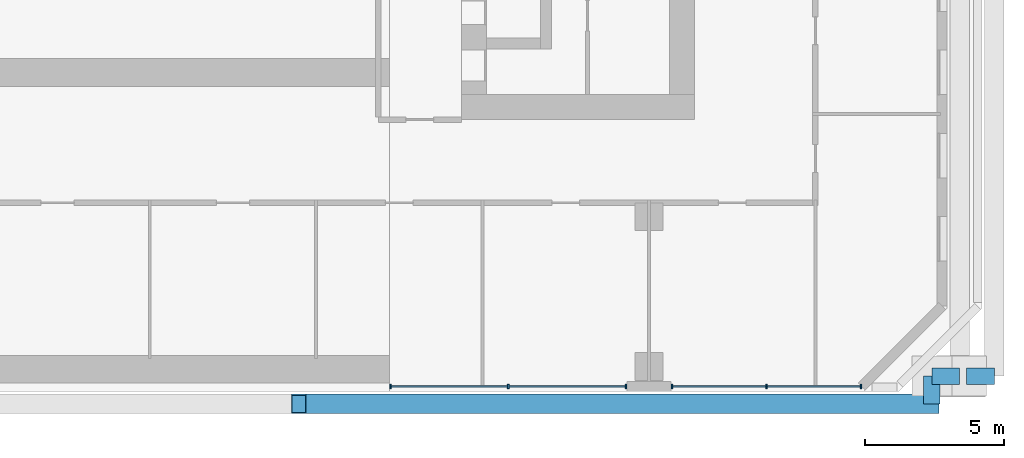
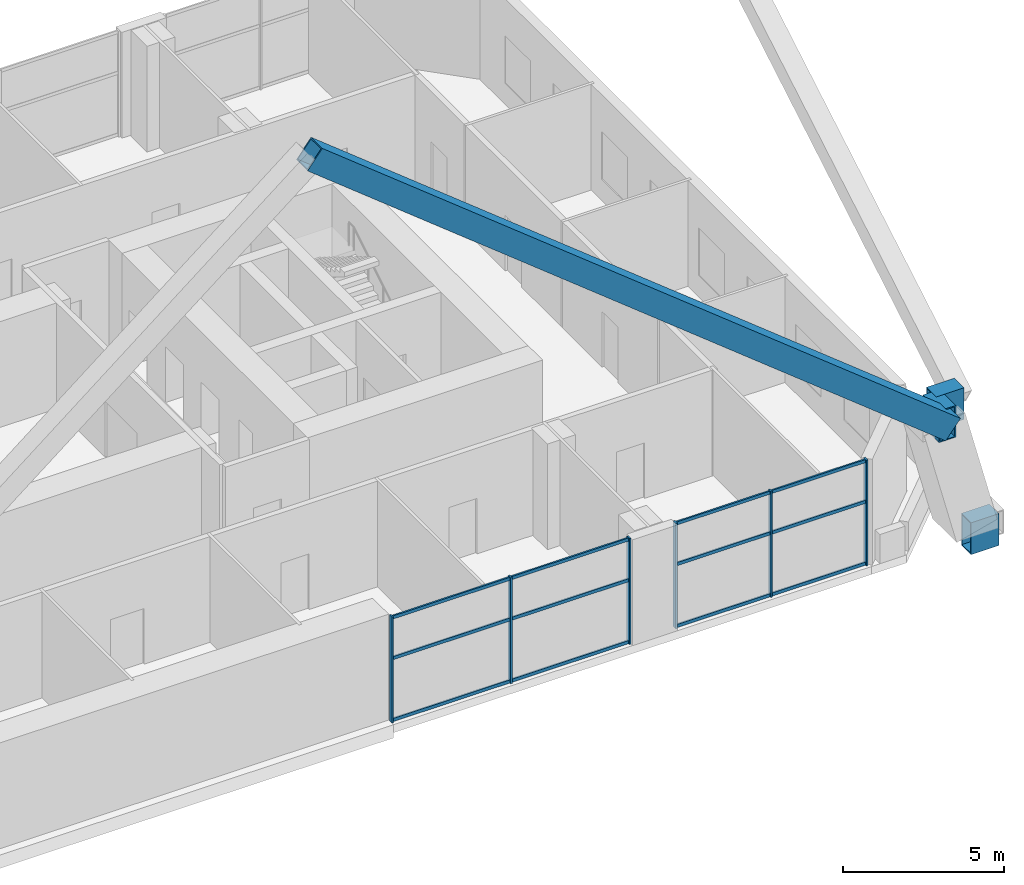
# One storey, part 12 of 25: 19 members, 3 beams, 2 elements without a shape of their own.
"""IFC4 building model written with IfcOpenShell, lengths in metres."""

import ifcopenshell
import ifcopenshell.guid

model = None  # the IFC model being written
_history = None  # IfcOwnerHistory: only IFC2X3 demands one
_inside = {}  # id of a spatial element -> (the spatial element, [elements in it])
_under = {}  # id of a project, library or spatial element -> (it, [spatial elements below it])
_declared = {}  # id of a project -> (the project, [libraries it declares])
_typed = {}  # id of a type object -> (the type object, [elements of that type])
_made_of = {}  # id of a material, layer set ... -> (it, [elements and type objects made of it])


def new_model(schema):
    """Start an empty IFC model of exactly this schema.

    Asked for "IFC4X3", IfcOpenShell would pick the latest addendum, in which some entities
    have other attributes; the version numbers below select the first issue.
    IFC2X3 requires an IfcOwnerHistory on every rooted entity: one is made here for all.
    """
    global model, _history
    if schema == "IFC4X3":
        model = ifcopenshell.file(schema_version=(4, 3, 0, 0))
    else:
        model = ifcopenshell.file(schema=schema)
    _inside.clear()
    _under.clear()
    _declared.clear()
    _typed.clear()
    _made_of.clear()
    _history = None
    if model.schema == "IFC2X3":
        org = make("IfcOrganization", Name="unknown")
        user = make(
            "IfcPersonAndOrganization",
            ThePerson=make("IfcPerson", FamilyName="unknown"),
            TheOrganization=org,
        )
        app = make(
            "IfcApplication",
            ApplicationDeveloper=org,
            Version="unknown",
            ApplicationFullName="unknown",
            ApplicationIdentifier="unknown",
        )
        _history = make(
            "IfcOwnerHistory",
            OwningUser=user,
            OwningApplication=app,
            ChangeAction="ADDED",
            CreationDate=0,
        )
    return model


def make(cls, **values):
    """One entity of the class cls with the attributes given. An attribute that is None is left unset."""
    return model.create_entity(
        cls, **{name: value for name, value in values.items() if value is not None}
    )


def rooted(cls, **values):
    """An entity with a GlobalId (a new one), such as an element, a storey or a relation."""
    return make(cls, GlobalId=ifcopenshell.guid.new(), OwnerHistory=_history, **values)


def si_unit(unit_type, name, prefix=None):
    """IfcSIUnit, for example si_unit("LENGTHUNIT", "METRE", prefix="MILLI")."""
    return make("IfcSIUnit", UnitType=unit_type, Prefix=prefix, Name=name)


def assignment(units):
    """IfcUnitAssignment: the units of a project."""
    return None if units is None else make("IfcUnitAssignment", Units=units)


def point(xyz):
    """IfcCartesianPoint."""
    return None if xyz is None else make("IfcCartesianPoint", Coordinates=xyz)


def direction(xyz):
    """IfcDirection."""
    return None if xyz is None else make("IfcDirection", DirectionRatios=xyz)


def frame(location, z_axis=None, x_axis=None):
    """IfcAxis2Placement3D, a coordinate frame: its origin and axes. An axis left out is left unset."""
    return make(
        "IfcAxis2Placement3D",
        Location=point(location),
        Axis=direction(z_axis),
        RefDirection=direction(x_axis),
    )


def frame_2d(location, x_axis=None):
    """IfcAxis2Placement2D, a coordinate frame in the plane: its origin and x axis."""
    return make(
        "IfcAxis2Placement2D", Location=point(location), RefDirection=direction(x_axis)
    )


def origin():
    """The frame at (0, 0, 0) with its axes left unset."""
    return frame((0.0, 0.0, 0.0))


def origin_2d():
    """The frame at (0, 0) in the plane with its x axis left unset."""
    return frame_2d((0.0, 0.0))


def place(relative_to, where):
    """IfcLocalPlacement: puts the frame where relative to a parent placement (None: the world)."""
    return make(
        "IfcLocalPlacement", PlacementRelTo=relative_to, RelativePlacement=where
    )


def context(
    kind, dimensions, precision=None, world=None, true_north=None, identifier=None
):
    """IfcGeometricRepresentationContext, for example the 3D "Model" context."""
    return make(
        "IfcGeometricRepresentationContext",
        ContextIdentifier=identifier,
        ContextType=kind,
        CoordinateSpaceDimension=dimensions,
        Precision=precision,
        WorldCoordinateSystem=world,
        TrueNorth=true_north,
    )


def subcontext(parent, identifier, kind, view, scale=None):
    """IfcGeometricRepresentationSubContext, for example "Body" below "Model"."""
    return make(
        "IfcGeometricRepresentationSubContext",
        ContextIdentifier=identifier,
        ContextType=kind,
        ParentContext=parent,
        TargetScale=scale,
        TargetView=view,
    )


def project(units=None, contexts=None):
    """IfcProject with its units and contexts."""
    return rooted(
        "IfcProject",
        Name="project",
        RepresentationContexts=contexts,
        UnitsInContext=assignment(units),
    )


def spatial(cls, under=None, at=None, **own):
    """A site, building, storey or space (cls), placed at a placement, below another one or the project."""
    s = rooted(cls, ObjectPlacement=at, **own)
    if under is not None:
        _under.setdefault(under.id(), (under, []))[1].append(s)
    return s


def profile(cls, at=None, kind="AREA", **sizes):
    """A parametric profile (cls). Its sizes go by their IFC names, for example OverallWidth=200.0."""
    return make(cls, ProfileType=kind, Position=at, **sizes)


def rectangle(**sizes):
    """IfcRectangleProfileDef."""
    return profile("IfcRectangleProfileDef", **sizes)


def hollow_rectangle(**sizes):
    """IfcRectangleHollowProfileDef."""
    return profile("IfcRectangleHollowProfileDef", **sizes)


def extrude(swept, where, along, depth):
    """IfcExtrudedAreaSolid: the profile swept, set in the frame where, extruded along a direction by depth."""
    return make(
        "IfcExtrudedAreaSolid",
        SweptArea=swept,
        Position=where,
        ExtrudedDirection=direction(along),
        Depth=depth,
    )


def shape(context_of_items, identifier, shape_type, items):
    """IfcShapeRepresentation: the items that make up one representation, for example the "Body"."""
    return make(
        "IfcShapeRepresentation",
        ContextOfItems=context_of_items,
        RepresentationIdentifier=identifier,
        RepresentationType=shape_type,
        Items=items,
    )


def material(Name=None, Category=None):
    """IfcMaterial."""
    return make("IfcMaterial", Name=Name, Category=Category)


def material_profile(
    of_material, cross_section, Name=None, Category=None, Priority=None
):
    """IfcMaterialProfile: a cross section and its material."""
    return make(
        "IfcMaterialProfile",
        Name=Name,
        Material=of_material,
        Profile=cross_section,
        Priority=Priority,
        Category=Category,
    )


def profile_set(profiles, Name=None, composite=None):
    """IfcMaterialProfileSet."""
    return make(
        "IfcMaterialProfileSet",
        Name=Name,
        MaterialProfiles=profiles,
        CompositeProfile=composite,
    )


def made_of(thing, what):
    """Note that an element or type object is made of a material, layer set ...; save() writes the relation."""
    if what is not None:
        _made_of.setdefault(what.id(), (what, []))[1].append(thing)
    return thing


def type_object(cls, material=None, **own):
    """A type object (cls), such as IfcWallType, which elements share."""
    return made_of(rooted(cls, **own), material)


def element(
    cls,
    number,
    at=None,
    inside=None,
    cuts=None,
    type_object=None,
    material=None,
    context=None,
    identifier="Body",
    shape_type=None,
    held_by="IfcProductDefinitionShape",
    body=None,
    shapes=None,
    **own,
):
    """One element of the class cls, such as IfcWall. Its Tag is "e" and its number.

    at: its placement. inside: the storey or other place that contains it. cuts: it is an
    opening in that element (IfcRelVoidsElement). A single representation is given by context,
    identifier, shape_type and body (its items); several are given by shapes. held_by: the class
    of the entity that holds the representations. save() writes the other relations.
    """
    e = rooted(cls, Tag="e%d" % number, ObjectPlacement=at, **own)
    if body is not None:
        shapes = [shape(context, identifier, shape_type, body)]
    if shapes is not None:
        e.Representation = make(held_by, Representations=shapes)
    if inside is not None:
        _inside.setdefault(inside.id(), (inside, []))[1].append(e)
    if cuts is not None:
        rooted(
            "IfcRelVoidsElement", RelatingBuildingElement=cuts, RelatedOpeningElement=e
        )
    if type_object is not None:
        _typed.setdefault(type_object.id(), (type_object, []))[1].append(e)
    return made_of(e, material)


def aggregate(whole, parts):
    """IfcRelAggregates: a whole, such as a stair, and the parts it consists of."""
    return rooted("IfcRelAggregates", RelatingObject=whole, RelatedObjects=parts)


def save(model, path):
    """Write the relations noted so far, then the file.

    IfcRelAggregates (storeys below a building ...), IfcRelContainedInSpatialStructure (elements
    in a storey), IfcRelDefinesByType, IfcRelAssociatesMaterial and IfcRelDeclares: one each for
    every whole, place, type object, material and project.
    """
    for whole, parts in _under.values():
        aggregate(whole, parts)
    for where, things in _inside.values():
        rooted(
            "IfcRelContainedInSpatialStructure",
            RelatedElements=things,
            RelatingStructure=where,
        )
    for kind, things in _typed.values():
        rooted("IfcRelDefinesByType", RelatedObjects=things, RelatingType=kind)
    for what, things in _made_of.values():
        rooted("IfcRelAssociatesMaterial", RelatedObjects=things, RelatingMaterial=what)
    for by, libraries in _declared.values():
        rooted("IfcRelDeclares", RelatingContext=by, RelatedDefinitions=libraries)
    model.write(path)


model = new_model("IFC4")

# Units and contexts
model_context = context("Model", 3, precision=1e-05, world=origin(), true_north=direction((0.0, 1.0)))
body_context = subcontext(model_context, "Body", "Model", "MODEL_VIEW")
ifc_project = project(units=[si_unit("LENGTHUNIT", "METRE"), si_unit("AREAUNIT", "SQUARE_METRE"), si_unit("VOLUMEUNIT", "CUBIC_METRE"), si_unit("PLANEANGLEUNIT", "RADIAN"), si_unit("MASSUNIT", "GRAM", prefix="KILO")], contexts=[model_context])

# Site, building, storey
site_placement = place(None, origin())
site = spatial("IfcSite", under=ifc_project, at=site_placement, CompositionType="ELEMENT")
building_placement = place(site_placement, origin())
building = spatial("IfcBuilding", under=site, at=building_placement, Name="Tuart Gate Housing", CompositionType="ELEMENT")
storey_placement = place(building_placement, frame((0.0, 0.0, 14.699951171875)))
storey = spatial("IfcBuildingStorey", under=building, at=storey_placement, Name="L03", CompositionType="ELEMENT", Elevation=14.699951171875)

# Beams
ifc_material_1 = material(Name="Steel Grade 350", Category="steel")
ifc_material_profile_1 = material_profile(ifc_material_1, hollow_rectangle(XDim=0.60009765625, YDim=1.199951171875, WallThickness=0.0400390625, at=origin_2d()), Name="BOX 1200x600x40")
ifc_profile_set_1 = profile_set([ifc_material_profile_1], Name="Steel Grade 350")
beam_type = type_object("IfcBeamType", Name="Brace shoe BOX 1200x600x40", PredefinedType="BEAM", material=ifc_profile_set_1)
for number, where, z_axis, x_axis, name in (
    (1, (178.449951171875, 54.550048828125, -0.39990234375), (1.0, 0.0, 0.0), (0.0, 1.0, 0.0), "Mega tie beam B node 0 east shoe 0 L03"),
    (2, (177.199951171875, 54.550048828125, 4.800048828125), (0.0, -1.0, 0.0), (1.0, 0.0, 0.0), "Mega brace shoe B zone 1 south chevron 2"),
    (3, (177.199951171875, 54.550048828125, 4.800048828125), (1.0, 0.0, 0.0), (0.0, 1.0, 0.0), "Mega brace shoe B zone 1 east cross 1"),
):
    element("IfcBeam", number, at=place(storey_placement, frame(where, z_axis=z_axis, x_axis=x_axis)), inside=storey, type_object=beam_type, Name=name, PredefinedType="BEAM", context=body_context, shape_type="SweptSolid", body=[
        extrude(hollow_rectangle(XDim=0.60009765625, YDim=1.199951171875, WallThickness=0.0400390625, at=origin_2d()), origin(), (0.0, 0.0, 1.0), 1.0),
    ])

# Member
ifc_material_2 = material(Name="Steel Grade 350", Category="steel")
ifc_material_profile_2 = material_profile(ifc_material_2, hollow_rectangle(XDim=0.699951171875, YDim=0.85009765625, WallThickness=0.0419921875, at=origin_2d()), Name="BOX 850x700x42")
ifc_profile_set_2 = profile_set([ifc_material_profile_2], Name="Steel Grade 350")
member_type_1 = type_object("IfcMemberType", Name="Mega brace BOX 850x700x42", PredefinedType="BRACE", material=ifc_profile_set_2)
member_1_placement = place(storey_placement, frame((177.199951171875, 53.550048828125, 4.800048828125), z_axis=(-0.781870554364, 0.0, 0.623440804101), x_axis=(0.0, -1.0, 0.0)))
element("IfcMember", 4, at=member_1_placement, inside=storey, type_object=member_type_1, Name="Mega brace B zone 1 south chevron 2", PredefinedType="BRACE", context=body_context, shape_type="SweptSolid", body=[
    extrude(hollow_rectangle(XDim=0.699951171875, YDim=0.85009765625, WallThickness=0.0419921875, at=origin_2d()), origin(), (0.0, 0.0, 1.0), 29.19287109375),
])

# Curtain wall, members
ifc_material_3 = material(Name="Aluminium and clear glass", Category="aluminium")
curtain_wall_type = type_object("IfcCurtainWallType", Name="Community floor glazing", PredefinedType="USERDEFINED", material=ifc_material_3)
curtain_wall_1_placement = place(storey_placement, origin())
curtain_wall_1 = element("IfcCurtainWall", 5, at=curtain_wall_1_placement, inside=storey, type_object=curtain_wall_type, Name="Community floor glazing B-S L03", ObjectType="COMMUNITY FLOOR GLAZING", PredefinedType="USERDEFINED")
ifc_material_4 = material(Name="Anodised aluminium", Category="aluminium")
ifc_material_profile_3 = material_profile(ifc_material_4, rectangle(XDim=0.06005859375, YDim=0.159912109375, at=origin_2d()), Name="60x160")
ifc_profile_set_3 = profile_set([ifc_material_profile_3], Name="Anodised aluminium")
member_type_2 = type_object("IfcMemberType", Name="Mullion 60 x 160", PredefinedType="MULLION", material=ifc_profile_set_3)
member_2_placement = place(storey_placement, frame((157.679931640625, 54.179931640625, 0.0), z_axis=(0.0, 0.0, 1.0), x_axis=(1.0, 0.0, 0.0)))
member_2 = element("IfcMember", 6, at=member_2_placement, type_object=member_type_2, Name="CW3 mullion 1", PredefinedType="MULLION", context=body_context, shape_type="SweptSolid", body=[
    extrude(rectangle(XDim=0.06005859375, YDim=0.159912109375, at=origin_2d()), origin(), (0.0, 0.0, 1.0), 4.0),
])
member_3_placement = place(storey_placement, frame((161.925048828125, 54.179931640625, 0.0), z_axis=(0.0, 0.0, 1.0), x_axis=(1.0, 0.0, 0.0)))
member_3 = element("IfcMember", 7, at=member_3_placement, type_object=member_type_2, Name="CW3 mullion 2", PredefinedType="MULLION", context=body_context, shape_type="SweptSolid", body=[
    extrude(rectangle(XDim=0.06005859375, YDim=0.159912109375, at=origin_2d()), origin(), (0.0, 0.0, 1.0), 4.0),
])
member_4_placement = place(storey_placement, frame((166.169921875, 54.179931640625, 0.0), z_axis=(0.0, 0.0, 1.0), x_axis=(1.0, 0.0, 0.0)))
member_4 = element("IfcMember", 8, at=member_4_placement, type_object=member_type_2, Name="CW3 mullion 3", PredefinedType="MULLION", context=body_context, shape_type="SweptSolid", body=[
    extrude(rectangle(XDim=0.06005859375, YDim=0.159912109375, at=origin_2d()), origin(), (0.0, 0.0, 1.0), 4.0),
])

curtain_wall_2_placement = place(storey_placement, origin())
curtain_wall_2 = element("IfcCurtainWall", 9, at=curtain_wall_2_placement, inside=storey, type_object=curtain_wall_type, Name="Community floor glazing B-S L03", ObjectType="COMMUNITY FLOOR GLAZING", PredefinedType="USERDEFINED")
member_5_placement = place(storey_placement, frame((167.830078125, 54.179931640625, 0.0), z_axis=(0.0, 0.0, 1.0), x_axis=(1.0, 0.0, 0.0)))
member_5 = element("IfcMember", 10, at=member_5_placement, type_object=member_type_2, Name="CW3 mullion 1", PredefinedType="MULLION", context=body_context, shape_type="SweptSolid", body=[
    extrude(rectangle(XDim=0.06005859375, YDim=0.159912109375, at=origin_2d()), origin(), (0.0, 0.0, 1.0), 4.0),
])
member_6_placement = place(storey_placement, frame((171.23779296875, 54.179931640625, 0.0), z_axis=(0.0, 0.0, 1.0), x_axis=(1.0, 0.0, 0.0)))
member_6 = element("IfcMember", 11, at=member_6_placement, type_object=member_type_2, Name="CW3 mullion 2", PredefinedType="MULLION", context=body_context, shape_type="SweptSolid", body=[
    extrude(rectangle(XDim=0.06005859375, YDim=0.159912109375, at=origin_2d()), origin(), (0.0, 0.0, 1.0), 4.0),
])
member_7_placement = place(storey_placement, frame((174.6455078125, 54.179931640625, 0.0), z_axis=(0.0, 0.0, 1.0), x_axis=(1.0, 0.0, 0.0)))
member_7 = element("IfcMember", 12, at=member_7_placement, type_object=member_type_2, Name="CW3 mullion 3", PredefinedType="MULLION", context=body_context, shape_type="SweptSolid", body=[
    extrude(rectangle(XDim=0.06005859375, YDim=0.159912109375, at=origin_2d()), origin(), (0.0, 0.0, 1.0), 4.0),
])

# Member
ifc_material_5 = material(Name="Anodised aluminium", Category="aluminium")
ifc_material_profile_4 = material_profile(ifc_material_5, rectangle(XDim=0.06005859375, YDim=0.1201171875, at=origin_2d()), Name="60x120")
ifc_profile_set_4 = profile_set([ifc_material_profile_4], Name="Anodised aluminium")
member_type_3 = type_object("IfcMemberType", Name="Transom 60 x 120", PredefinedType="USERDEFINED", material=ifc_profile_set_4)
member_8_placement = place(storey_placement, frame((157.7099609375, 54.179931640625, 0.06005859375), z_axis=(1.0, 0.0, 0.0), x_axis=(0.0, 1.0, 0.0)))
member_8 = element("IfcMember", 13, at=member_8_placement, type_object=member_type_3, Name="CW3 transom 1.1", ObjectType="TRANSOM", PredefinedType="USERDEFINED", context=body_context, shape_type="SweptSolid", body=[
    extrude(rectangle(XDim=0.06005859375, YDim=0.1201171875, at=origin_2d()), origin(), (0.0, 0.0, 1.0), 4.18505859375),
])

member_9_placement = place(storey_placement, frame((157.7099609375, 54.179931640625, 2.400146484375), z_axis=(1.0, 0.0, 0.0), x_axis=(0.0, 1.0, 0.0)))
member_9 = element("IfcMember", 14, at=member_9_placement, type_object=member_type_3, Name="CW3 transom 1.2", ObjectType="TRANSOM", PredefinedType="USERDEFINED", context=body_context, shape_type="SweptSolid", body=[
    extrude(rectangle(XDim=0.06005859375, YDim=0.1201171875, at=origin_2d()), origin(), (0.0, 0.0, 1.0), 4.18505859375),
])

member_10_placement = place(storey_placement, frame((157.7099609375, 54.179931640625, 3.93994140625), z_axis=(1.0, 0.0, 0.0), x_axis=(0.0, 1.0, 0.0)))
member_10 = element("IfcMember", 15, at=member_10_placement, type_object=member_type_3, Name="CW3 transom 1.3", ObjectType="TRANSOM", PredefinedType="USERDEFINED", context=body_context, shape_type="SweptSolid", body=[
    extrude(rectangle(XDim=0.06005859375, YDim=0.1201171875, at=origin_2d()), origin(), (0.0, 0.0, 1.0), 4.18505859375),
])

member_11_placement = place(storey_placement, frame((161.955078125, 54.179931640625, 0.06005859375), z_axis=(1.0, 0.0, 0.0), x_axis=(0.0, 1.0, 0.0)))
member_11 = element("IfcMember", 16, at=member_11_placement, type_object=member_type_3, Name="CW3 transom 2.1", ObjectType="TRANSOM", PredefinedType="USERDEFINED", context=body_context, shape_type="SweptSolid", body=[
    extrude(rectangle(XDim=0.06005859375, YDim=0.1201171875, at=origin_2d()), origin(), (0.0, 0.0, 1.0), 4.184814453125),
])

member_12_placement = place(storey_placement, frame((161.955078125, 54.179931640625, 2.400146484375), z_axis=(1.0, 0.0, 0.0), x_axis=(0.0, 1.0, 0.0)))
member_12 = element("IfcMember", 17, at=member_12_placement, type_object=member_type_3, Name="CW3 transom 2.2", ObjectType="TRANSOM", PredefinedType="USERDEFINED", context=body_context, shape_type="SweptSolid", body=[
    extrude(rectangle(XDim=0.06005859375, YDim=0.1201171875, at=origin_2d()), origin(), (0.0, 0.0, 1.0), 4.184814453125),
])

member_13_placement = place(storey_placement, frame((161.955078125, 54.179931640625, 3.93994140625), z_axis=(1.0, 0.0, 0.0), x_axis=(0.0, 1.0, 0.0)))
member_13 = element("IfcMember", 18, at=member_13_placement, type_object=member_type_3, Name="CW3 transom 2.3", ObjectType="TRANSOM", PredefinedType="USERDEFINED", context=body_context, shape_type="SweptSolid", body=[
    extrude(rectangle(XDim=0.06005859375, YDim=0.1201171875, at=origin_2d()), origin(), (0.0, 0.0, 1.0), 4.184814453125),
])

aggregate(curtain_wall_1, [member_2, member_3, member_4, member_8, member_9, member_10, member_11, member_12, member_13])

member_14_placement = place(storey_placement, frame((167.860107421875, 54.179931640625, 0.06005859375), z_axis=(1.0, 0.0, 0.0), x_axis=(0.0, 1.0, 0.0)))
member_14 = element("IfcMember", 19, at=member_14_placement, type_object=member_type_3, Name="CW3 transom 1.1", ObjectType="TRANSOM", PredefinedType="USERDEFINED", context=body_context, shape_type="SweptSolid", body=[
    extrude(rectangle(XDim=0.06005859375, YDim=0.1201171875, at=origin_2d()), origin(), (0.0, 0.0, 1.0), 3.34765625),
])

member_15_placement = place(storey_placement, frame((167.860107421875, 54.179931640625, 2.400146484375), z_axis=(1.0, 0.0, 0.0), x_axis=(0.0, 1.0, 0.0)))
member_15 = element("IfcMember", 20, at=member_15_placement, type_object=member_type_3, Name="CW3 transom 1.2", ObjectType="TRANSOM", PredefinedType="USERDEFINED", context=body_context, shape_type="SweptSolid", body=[
    extrude(rectangle(XDim=0.06005859375, YDim=0.1201171875, at=origin_2d()), origin(), (0.0, 0.0, 1.0), 3.34765625),
])

member_16_placement = place(storey_placement, frame((167.860107421875, 54.179931640625, 3.93994140625), z_axis=(1.0, 0.0, 0.0), x_axis=(0.0, 1.0, 0.0)))
member_16 = element("IfcMember", 21, at=member_16_placement, type_object=member_type_3, Name="CW3 transom 1.3", ObjectType="TRANSOM", PredefinedType="USERDEFINED", context=body_context, shape_type="SweptSolid", body=[
    extrude(rectangle(XDim=0.06005859375, YDim=0.1201171875, at=origin_2d()), origin(), (0.0, 0.0, 1.0), 3.34765625),
])

member_17_placement = place(storey_placement, frame((171.267822265625, 54.179931640625, 0.06005859375), z_axis=(1.0, 0.0, 0.0), x_axis=(0.0, 1.0, 0.0)))
member_17 = element("IfcMember", 22, at=member_17_placement, type_object=member_type_3, Name="CW3 transom 2.1", ObjectType="TRANSOM", PredefinedType="USERDEFINED", context=body_context, shape_type="SweptSolid", body=[
    extrude(rectangle(XDim=0.06005859375, YDim=0.1201171875, at=origin_2d()), origin(), (0.0, 0.0, 1.0), 3.34765625),
])

member_18_placement = place(storey_placement, frame((171.267822265625, 54.179931640625, 2.400146484375), z_axis=(1.0, 0.0, 0.0), x_axis=(0.0, 1.0, 0.0)))
member_18 = element("IfcMember", 23, at=member_18_placement, type_object=member_type_3, Name="CW3 transom 2.2", ObjectType="TRANSOM", PredefinedType="USERDEFINED", context=body_context, shape_type="SweptSolid", body=[
    extrude(rectangle(XDim=0.06005859375, YDim=0.1201171875, at=origin_2d()), origin(), (0.0, 0.0, 1.0), 3.34765625),
])

member_19_placement = place(storey_placement, frame((171.267822265625, 54.179931640625, 3.93994140625), z_axis=(1.0, 0.0, 0.0), x_axis=(0.0, 1.0, 0.0)))
member_19 = element("IfcMember", 24, at=member_19_placement, type_object=member_type_3, Name="CW3 transom 2.3", ObjectType="TRANSOM", PredefinedType="USERDEFINED", context=body_context, shape_type="SweptSolid", body=[
    extrude(rectangle(XDim=0.06005859375, YDim=0.1201171875, at=origin_2d()), origin(), (0.0, 0.0, 1.0), 3.34765625),
])

aggregate(curtain_wall_2, [member_5, member_6, member_7, member_14, member_15, member_16, member_17, member_18, member_19])

save(model, "model.ifc")
